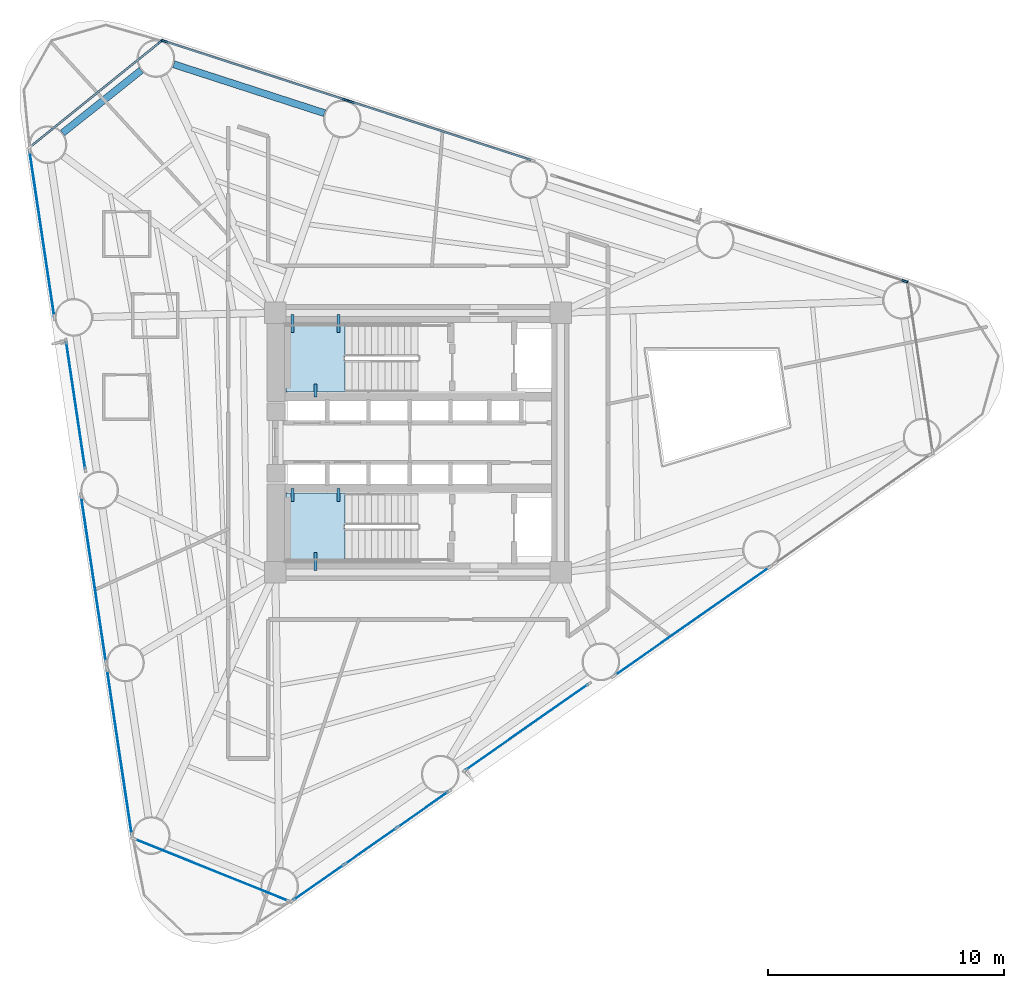
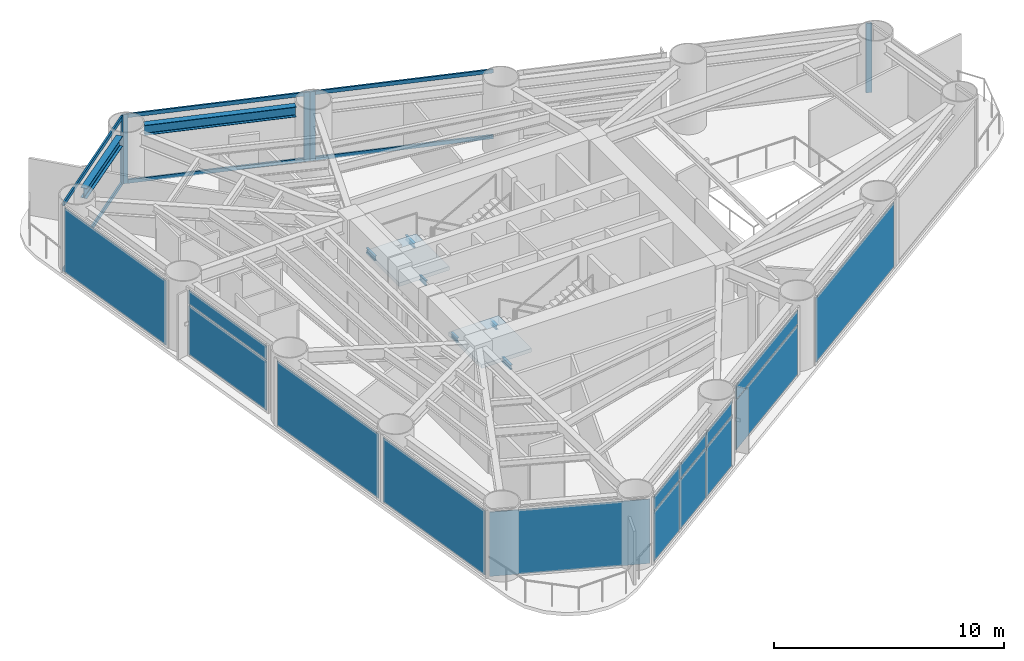
# One storey, part 4 of 9: 15 plates, 11 members, 8 beams, 2 slabs, 14 elements without a shape of their own.
"""IFC4 building model written with IfcOpenShell, lengths in metres."""

from ifc_helpers import new_model, si_unit, direction, frame, origin, origin_2d, place, context, subcontext, project, spatial, polyline, rectangle, i_section, outline, extrude, source, transform, mapped, material, layer, layer_set, material_profile, profile_set, type_object, element, aggregate, save


model = new_model("IFC4")

# Units and contexts
model_context = context("Model", 3, precision=1e-05, world=origin(), true_north=direction((0.0, 1.0)))
body_context = subcontext(model_context, "Body", "Model", "MODEL_VIEW")
ifc_project = project(units=[si_unit("LENGTHUNIT", "METRE"), si_unit("AREAUNIT", "SQUARE_METRE"), si_unit("VOLUMEUNIT", "CUBIC_METRE"), si_unit("PLANEANGLEUNIT", "RADIAN"), si_unit("MASSUNIT", "GRAM", prefix="KILO")], contexts=[model_context])

# Site, building, storey
site_placement = place(None, origin())
site = spatial("IfcSite", under=ifc_project, at=site_placement, CompositionType="ELEMENT")
building_placement = place(site_placement, origin())
building = spatial("IfcBuilding", under=site, at=building_placement, Name="Yunling Apex Tower", CompositionType="ELEMENT")
storey_placement = place(building_placement, frame((0.0, 0.0, 62.300048828125)))
storey = spatial("IfcBuildingStorey", under=building, at=storey_placement, Name="L16", CompositionType="ELEMENT", Elevation=62.300048828125)

# Beams
ifc_material_1 = material(Name="Steel Q355B", Category="steel")
ifc_material_profile_1 = material_profile(ifc_material_1, i_section(OverallWidth=0.125, OverallDepth=0.25, WebThickness=0.006103515625, FlangeThickness=0.009033203125, FilletRadius=0.011962890625, at=origin_2d()))
ifc_profile_set_1 = profile_set([ifc_material_profile_1], Name="Steel Q355B")
beam_type_1 = type_object("IfcBeamType", Name="BL-LNT-1", PredefinedType="LINTEL", material=ifc_profile_set_1)
shared_shape_1 = source(origin(), body_context, "Body", "SweptSolid", [
    extrude(i_section(OverallWidth=0.125, OverallDepth=0.25, WebThickness=0.006103515625, FlangeThickness=0.009033203125, FilletRadius=0.011962890625, at=origin_2d()), origin(), (0.0, 0.0, 1.0), 0.760009765625),
])
for number, where, z_axis, x_axis, name in (
    (1, (-5.320068359375, 5.419921875, 1.554931640625), (0.0, -1.0, 0.0), (1.0, 0.0, 0.0), "L16 ST-1 Landing Bearing Corbel 1-1"),
    (2, (-3.3701171875, 5.419921875, 1.554931640625), (0.0, -1.0, 0.0), (1.0, 0.0, 0.0), "L16 ST-1 Landing Bearing Corbel 1-2"),
    (3, (-4.344970703125, -5.419921875, 1.554931640625), (0.0, 1.0, 0.0), (-1.0, 0.0, 0.0), "L16 ST-2 Landing Bearing Corbel 1-3"),
):
    element("IfcBeam", number, at=place(storey_placement, frame(where, z_axis=z_axis, x_axis=x_axis)), inside=storey, type_object=beam_type_1, Name=name, PredefinedType="LINTEL", context=body_context, shape_type="MappedRepresentation", body=[
        mapped(shared_shape_1, transform((0.0, 0.0, 0.0), scale=1.0)),
    ])
shared_shape_2 = source(origin(), body_context, "Body", "SweptSolid", [
    extrude(i_section(OverallWidth=0.125, OverallDepth=0.25, WebThickness=0.006103515625, FlangeThickness=0.009033203125, FilletRadius=0.011962890625, at=origin_2d()), origin(), (0.0, 0.0, 1.0), 0.550048828125),
])
for number, where, z_axis, x_axis, name in (
    (4, (-4.344970703125, 1.93994140625, 1.554931640625), (0.0, 1.0, 0.0), (-1.0, 0.0, 0.0), "L16 ST-1 Landing Bearing Corbel 1-3"),
    (5, (-5.320068359375, -1.93994140625, 1.554931640625), (0.0, -1.0, 0.0), (1.0, 0.0, 0.0), "L16 ST-2 Landing Bearing Corbel 1-1"),
    (6, (-3.3701171875, -1.93994140625, 1.554931640625), (0.0, -1.0, 0.0), (1.0, 0.0, 0.0), "L16 ST-2 Landing Bearing Corbel 1-2"),
):
    element("IfcBeam", number, at=place(storey_placement, frame(where, z_axis=z_axis, x_axis=x_axis)), inside=storey, type_object=beam_type_1, Name=name, PredefinedType="LINTEL", context=body_context, shape_type="MappedRepresentation", body=[
        mapped(shared_shape_2, transform((0.0, 0.0, 0.0), scale=1.0)),
    ])
ifc_material_profile_2 = material_profile(ifc_material_1, i_section(OverallWidth=0.300048828125, OverallDepth=0.5400390625, WebThickness=0.011962890625, FlangeThickness=0.02001953125, FilletRadius=0.02392578125, at=origin_2d()))
ifc_profile_set_2 = profile_set([ifc_material_profile_2], Name="Steel Q355B")
beam_type_2 = type_object("IfcBeamType", Name="BP-SPN-1", PredefinedType="SPANDREL", material=ifc_profile_set_2)
shared_shape_3 = source(origin(), body_context, "Body", "SweptSolid", [
    extrude(i_section(OverallWidth=0.300048828125, OverallDepth=0.5400390625, WebThickness=0.011962890625, FlangeThickness=0.02001953125, FilletRadius=0.02392578125, at=origin_2d()), origin(), (0.0, 0.0, 1.0), 6.721435546875),
])
beam_1_placement = place(storey_placement, frame((-3.96484375, 13.9638671875, 3.294921875), z_axis=(-0.95126256707, 0.308382114415, 0.0), x_axis=(-0.308382114415, -0.95126256707, 0.0)))
element("IfcBeam", 7, at=beam_1_placement, inside=storey, type_object=beam_type_2, Name="L16 Perimeter Spandrel Beam 9", PredefinedType="SPANDREL", context=body_context, shape_type="MappedRepresentation", body=[
    mapped(shared_shape_3, transform((0.0, 0.0, 0.0), scale=1.0)),
])
shared_shape_4 = source(origin(), body_context, "Body", "SweptSolid", [
    extrude(i_section(OverallWidth=0.300048828125, OverallDepth=0.5400390625, WebThickness=0.011962890625, FlangeThickness=0.02001953125, FilletRadius=0.02392578125, at=origin_2d()), origin(), (0.0, 0.0, 1.0), 4.265869140625),
])
beam_2_placement = place(storey_placement, frame((-11.734619140625, 15.785888671875, 3.294921875), z_axis=(-0.781560697893, -0.623829203796, 0.0), x_axis=(0.623829203796, -0.781560697893, 0.0)))
element("IfcBeam", 8, at=beam_2_placement, inside=storey, type_object=beam_type_2, Name="L16 Perimeter Spandrel Beam 10", PredefinedType="SPANDREL", context=body_context, shape_type="MappedRepresentation", body=[
    mapped(shared_shape_4, transform((0.0, 0.0, 0.0), scale=1.0)),
])

# Curtain wall, member
ifc_material_2 = material(Name="Bronze anodised aluminium", Category="aluminium")
ifc_layer_1 = layer(ifc_material_2, 0.260009765625)
ifc_layer_set_1 = layer_set([ifc_layer_1], Name="Bronze anodised aluminium")
curtain_wall_type = type_object("IfcCurtainWallType", Name="CW-SYS-2", PredefinedType="NOTDEFINED", material=ifc_layer_set_1)
curtain_wall_1_placement = place(storey_placement, origin())
curtain_wall_1 = element("IfcCurtainWall", 9, at=curtain_wall_1_placement, inside=storey, type_object=curtain_wall_type, Name="CW-L16-F2-B1", PredefinedType="NOTDEFINED")
ifc_material_profile_3 = material_profile(ifc_material_2, rectangle(XDim=0.0849609375, YDim=0.260009765625, at=origin_2d()))
ifc_profile_set_3 = profile_set([ifc_material_profile_3], Name="Bronze anodised aluminium")
member_type_1 = type_object("IfcMemberType", Name="CW-MUL-2", PredefinedType="MULLION", material=ifc_profile_set_3)
shared_shape_5 = source(origin(), body_context, "Body", "SweptSolid", [
    extrude(rectangle(XDim=0.0849609375, YDim=0.260009765625, at=origin_2d()), origin(), (0.0, 0.0, 1.0), 3.6650390625),
])
member_1_placement = place(storey_placement, frame((20.63671875, 6.8408203125, -0.050048828125), z_axis=(0.0, 0.0, 1.0), x_axis=(-0.30835735341, -0.951270593784, 0.0)))
member_1 = element("IfcMember", 10, at=member_1_placement, type_object=member_type_1, Name="CW-SYS-2 mullion 1", PredefinedType="MULLION", context=body_context, shape_type="MappedRepresentation", body=[
    mapped(shared_shape_5, transform((0.0, 0.0, 0.0), scale=1.0)),
])
aggregate(curtain_wall_1, [member_1])

curtain_wall_2_placement = place(storey_placement, origin())
curtain_wall_2 = element("IfcCurtainWall", 11, at=curtain_wall_2_placement, inside=storey, type_object=curtain_wall_type, Name="CW-L16-F2-B3", PredefinedType="NOTDEFINED")
member_2_placement = place(storey_placement, frame((-2.84326171875, 14.451904296875, -0.050048828125), z_axis=(0.0, 0.0, 1.0), x_axis=(-0.308368457544, -0.951266994272, 0.0)))
member_2 = element("IfcMember", 12, at=member_2_placement, type_object=member_type_1, Name="CW-SYS-2 mullion 2", PredefinedType="MULLION", context=body_context, shape_type="MappedRepresentation", body=[
    mapped(shared_shape_5, transform((0.0, 0.0, 0.0), scale=1.0)),
])

# Curtain wall, members
curtain_wall_3_placement = place(storey_placement, origin())
curtain_wall_3 = element("IfcCurtainWall", 13, at=curtain_wall_3_placement, inside=storey, type_object=curtain_wall_type, Name="CW-L16-F2-B4", PredefinedType="NOTDEFINED")
member_3_placement = place(storey_placement, frame((-3.076416015625, 14.52734375, -0.050048828125), z_axis=(0.0, 0.0, 1.0), x_axis=(-0.30835735341, -0.951270593784, 0.0)))
member_3 = element("IfcMember", 14, at=member_3_placement, type_object=member_type_1, Name="CW-SYS-2 mullion 1", PredefinedType="MULLION", context=body_context, shape_type="MappedRepresentation", body=[
    mapped(shared_shape_5, transform((0.0, 0.0, 0.0), scale=1.0)),
])
member_4_placement = place(storey_placement, frame((-10.747802734375, 17.01416015625, -0.050048828125), z_axis=(0.0, 0.0, 1.0), x_axis=(-0.30835735341, -0.951270593784, 0.0)))
member_4 = element("IfcMember", 15, at=member_4_placement, type_object=member_type_1, Name="CW-SYS-2 mullion 2", PredefinedType="MULLION", context=body_context, shape_type="MappedRepresentation", body=[
    mapped(shared_shape_5, transform((0.0, 0.0, 0.0), scale=1.0)),
])

# Curtain wall, member
curtain_wall_4_placement = place(storey_placement, origin())
curtain_wall_4 = element("IfcCurtainWall", 16, at=curtain_wall_4_placement, inside=storey, type_object=curtain_wall_type, Name="CW-L16-CRN2", PredefinedType="NOTDEFINED")
member_5_placement = place(storey_placement, frame((-10.903564453125, 17.006103515625, -0.050048828125), z_axis=(0.0, 0.0, 1.0), x_axis=(0.628079941911, -0.778148820322, 0.0)))
member_5 = element("IfcMember", 17, at=member_5_placement, type_object=member_type_1, Name="CW-SYS-2 mullion 1", PredefinedType="MULLION", context=body_context, shape_type="MappedRepresentation", body=[
    mapped(shared_shape_5, transform((0.0, 0.0, 0.0), scale=1.0)),
])

# Member
ifc_material_profile_4 = material_profile(ifc_material_2, rectangle(XDim=0.0849609375, YDim=0.199951171875, at=origin_2d()))
ifc_profile_set_4 = profile_set([ifc_material_profile_4], Name="Bronze anodised aluminium")
member_type_2 = type_object("IfcMemberType", Name="CW-TRN-2", PredefinedType="USERDEFINED", material=ifc_profile_set_4)
shared_shape_6 = source(origin(), body_context, "Body", "SweptSolid", [
    extrude(rectangle(XDim=0.0849609375, YDim=0.199951171875, at=origin_2d()), origin(), (0.0, 0.0, 1.0), 7.98779296875),
])
member_6_placement = place(storey_placement, frame((4.79150390625, 11.976806640625, 0.04248046875), z_axis=(-0.951258205262, 0.308395568907, 0.0), x_axis=(-0.308395568907, -0.951258205262, 0.0)))
member_6 = element("IfcMember", 18, at=member_6_placement, type_object=member_type_2, Name="CW-SYS-2 transom 1.1", ObjectType="TRANSOM", PredefinedType="USERDEFINED", context=body_context, shape_type="MappedRepresentation", body=[
    mapped(shared_shape_6, transform((0.0, 0.0, 0.0), scale=1.0)),
])

member_7_placement = place(storey_placement, frame((4.79150390625, 11.976806640625, 3.5224609375), z_axis=(-0.951258205262, 0.308395568907, 0.0), x_axis=(-0.308395568907, -0.951258205262, 0.0)))
member_7 = element("IfcMember", 19, at=member_7_placement, type_object=member_type_2, Name="CW-SYS-2 transom 1.2", ObjectType="TRANSOM", PredefinedType="USERDEFINED", context=body_context, shape_type="MappedRepresentation", body=[
    mapped(shared_shape_6, transform((0.0, 0.0, 0.0), scale=1.0)),
])

aggregate(curtain_wall_2, [member_2, member_6, member_7])

member_8_placement = place(storey_placement, frame((-3.11279296875, 14.539306640625, 0.04248046875), z_axis=(-0.951279042821, 0.308331287237, 0.0), x_axis=(-0.308331287237, -0.951279042821, 0.0)))
member_8 = element("IfcMember", 20, at=member_8_placement, type_object=member_type_2, Name="CW-SYS-2 transom 1.1", ObjectType="TRANSOM", PredefinedType="USERDEFINED", context=body_context, shape_type="MappedRepresentation", body=[
    mapped(shared_shape_6, transform((0.0, 0.0, 0.0), scale=1.0)),
])

member_9_placement = place(storey_placement, frame((-3.11279296875, 14.539306640625, 3.5224609375), z_axis=(-0.951279042821, 0.308331287237, 0.0), x_axis=(-0.308331287237, -0.951279042821, 0.0)))
member_9 = element("IfcMember", 21, at=member_9_placement, type_object=member_type_2, Name="CW-SYS-2 transom 1.2", ObjectType="TRANSOM", PredefinedType="USERDEFINED", context=body_context, shape_type="MappedRepresentation", body=[
    mapped(shared_shape_6, transform((0.0, 0.0, 0.0), scale=1.0)),
])

aggregate(curtain_wall_3, [member_3, member_4, member_8, member_9])

shared_shape_7 = source(origin(), body_context, "Body", "SweptSolid", [
    extrude(rectangle(XDim=0.0849609375, YDim=0.199951171875, at=origin_2d()), origin(), (0.0, 0.0, 1.0), 7.03515625),
])
member_10_placement = place(storey_placement, frame((-10.933349609375, 16.982177734375, 0.04248046875), z_axis=(-0.778142739989, -0.628087474961, 0.0), x_axis=(0.628087474961, -0.778142739989, 0.0)))
member_10 = element("IfcMember", 22, at=member_10_placement, type_object=member_type_2, Name="CW-SYS-2 transom 1.1", ObjectType="TRANSOM", PredefinedType="USERDEFINED", context=body_context, shape_type="MappedRepresentation", body=[
    mapped(shared_shape_7, transform((0.0, 0.0, 0.0), scale=1.0)),
])

member_11_placement = place(storey_placement, frame((-10.933349609375, 16.982177734375, 3.5224609375), z_axis=(-0.778142739989, -0.628087474961, 0.0), x_axis=(0.628087474961, -0.778142739989, 0.0)))
member_11 = element("IfcMember", 23, at=member_11_placement, type_object=member_type_2, Name="CW-SYS-2 transom 1.2", ObjectType="TRANSOM", PredefinedType="USERDEFINED", context=body_context, shape_type="MappedRepresentation", body=[
    mapped(shared_shape_7, transform((0.0, 0.0, 0.0), scale=1.0)),
])

aggregate(curtain_wall_4, [member_5, member_10, member_11])

# Stair, slab
ifc_material_3 = material(Name="Concrete C40", Category="concrete")
stair_type = type_object("IfcStairType", Name="ST-TWR-1", PredefinedType="HALF_TURN_STAIR", material=ifc_material_3)
stair_1_placement = place(storey_placement, origin())
stair_1 = element("IfcStair", 24, at=stair_1_placement, inside=storey, type_object=stair_type, Name="L16 North Core Smokeproof Exit Stair ST-1", PredefinedType="HALF_TURN_STAIR")
ifc_layer_2 = layer(ifc_material_3, 0.195068359375)
ifc_layer_set_2 = layer_set([ifc_layer_2], Name="Concrete C40")
slab_type = type_object("IfcSlabType", Name="SL-LND-1", PredefinedType="LANDING", material=ifc_layer_set_2)
slab_1_placement = place(storey_placement, frame((0.0, 0.0, 1.679931640625)))
slab_1 = element("IfcSlab", 25, at=slab_1_placement, type_object=slab_type, Name="ST-1 landing 1", PredefinedType="LANDING", context=body_context, shape_type="SweptSolid", body=[
    extrude(outline(polyline([(-3.090087890625, 5.010009765625), (-5.60009765625, 5.010009765625), (-5.60009765625, 2.139892578125), (-3.090087890625, 2.139892578125), (-3.090087890625, 5.010009765625)])), origin(), (0.0, 0.0, 1.0), 0.195068359375),
])
aggregate(stair_1, [slab_1])

stair_2_placement = place(storey_placement, origin())
stair_2 = element("IfcStair", 26, at=stair_2_placement, inside=storey, type_object=stair_type, Name="L16 South Core Smokeproof Exit Stair ST-2", PredefinedType="HALF_TURN_STAIR")
slab_2_placement = place(storey_placement, frame((0.0, 0.0, 1.679931640625)))
slab_2 = element("IfcSlab", 27, at=slab_2_placement, type_object=slab_type, Name="ST-2 landing 1", PredefinedType="LANDING", context=body_context, shape_type="SweptSolid", body=[
    extrude(outline(polyline([(-3.090087890625, -2.139892578125), (-5.60009765625, -2.139892578125), (-5.60009765625, -5.010009765625), (-3.090087890625, -5.010009765625), (-3.090087890625, -2.139892578125)])), origin(), (0.0, 0.0, 1.0), 0.195068359375),
])
aggregate(stair_2, [slab_2])

# Curtain wall, plates
curtain_wall_5_placement = place(storey_placement, origin())
curtain_wall_5 = element("IfcCurtainWall", 28, at=curtain_wall_5_placement, inside=storey, type_object=curtain_wall_type, Name="CW-L16-F1-B1", PredefinedType="NOTDEFINED")
ifc_material_4 = material(Name="Bronze tinted low-E glass", Category="glass")
ifc_layer_3 = layer(ifc_material_4, 0.033935546875)
ifc_layer_set_3 = layer_set([ifc_layer_3], Name="Bronze tinted low-E glass")
plate_type = type_object("IfcPlateType", Name="CW-PNL-2", PredefinedType="CURTAIN_PANEL", material=ifc_layer_set_3)
shared_shape_8 = source(origin(), body_context, "Body", "SweptSolid", [
    extrude(rectangle(XDim=2.60546875, YDim=0.033935546875, at=origin_2d()), origin(), (0.0, 0.0, 1.0), 2.60400390625),
])
plate_1_placement = place(storey_placement, frame((-4.2080078125, -18.64697265625, 0.07666015625), z_axis=(0.0, 0.0, 1.0), x_axis=(0.819552319691, 0.573004358875, 0.0)))
plate_1 = element("IfcPlate", 29, at=plate_1_placement, type_object=plate_type, Name="CW-SYS-2 panel 1.1", PredefinedType="CURTAIN_PANEL", context=body_context, shape_type="MappedRepresentation", body=[
    mapped(shared_shape_8, transform((0.0, 0.0, 0.0), scale=1.0)),
])
plate_2_placement = place(storey_placement, frame((0.209716796875, -15.55810546875, 0.07666015625), z_axis=(0.0, 0.0, 1.0), x_axis=(0.819552319691, 0.573004358875, 0.0)))
plate_2 = element("IfcPlate", 30, at=plate_2_placement, type_object=plate_type, Name="CW-SYS-2 panel 3.1", PredefinedType="CURTAIN_PANEL", context=body_context, shape_type="MappedRepresentation", body=[
    mapped(shared_shape_8, transform((0.0, 0.0, 0.0), scale=1.0)),
])
shared_shape_9 = source(origin(), body_context, "Body", "SweptSolid", [
    extrude(rectangle(XDim=2.60546875, YDim=0.033935546875, at=origin_2d()), origin(), (0.0, 0.0, 1.0), 0.739013671875),
])
plate_3_placement = place(storey_placement, frame((-4.2080078125, -18.64697265625, 2.7490234375), z_axis=(0.0, 0.0, 1.0), x_axis=(0.819552319691, 0.573004358875, 0.0)))
plate_3 = element("IfcPlate", 31, at=plate_3_placement, type_object=plate_type, Name="CW-SYS-2 panel 1.2", PredefinedType="CURTAIN_PANEL", context=body_context, shape_type="MappedRepresentation", body=[
    mapped(shared_shape_9, transform((0.0, 0.0, 0.0), scale=1.0)),
])
plate_4_placement = place(storey_placement, frame((0.209716796875, -15.55810546875, 2.7490234375), z_axis=(0.0, 0.0, 1.0), x_axis=(0.819552319691, 0.573004358875, 0.0)))
plate_4 = element("IfcPlate", 32, at=plate_4_placement, type_object=plate_type, Name="CW-SYS-2 panel 3.2", PredefinedType="CURTAIN_PANEL", context=body_context, shape_type="MappedRepresentation", body=[
    mapped(shared_shape_9, transform((0.0, 0.0, 0.0), scale=1.0)),
])
shared_shape_10 = source(origin(), body_context, "Body", "SweptSolid", [
    extrude(rectangle(XDim=2.64794921875, YDim=0.033935546875, at=origin_2d()), origin(), (0.0, 0.0, 1.0), 2.60400390625),
])
plate_5_placement = place(storey_placement, frame((-1.9990234375, -17.1025390625, 0.07666015625), z_axis=(0.0, 0.0, 1.0), x_axis=(0.819552319691, 0.573004358875, 0.0)))
plate_5 = element("IfcPlate", 33, at=plate_5_placement, type_object=plate_type, Name="CW-SYS-2 panel 2.1", PredefinedType="CURTAIN_PANEL", context=body_context, shape_type="MappedRepresentation", body=[
    mapped(shared_shape_10, transform((0.0, 0.0, 0.0), scale=1.0)),
])
shared_shape_11 = source(origin(), body_context, "Body", "SweptSolid", [
    extrude(rectangle(XDim=2.64794921875, YDim=0.033935546875, at=origin_2d()), origin(), (0.0, 0.0, 1.0), 0.739013671875),
])
plate_6_placement = place(storey_placement, frame((-1.9990234375, -17.1025390625, 2.7490234375), z_axis=(0.0, 0.0, 1.0), x_axis=(0.819552319691, 0.573004358875, 0.0)))
plate_6 = element("IfcPlate", 34, at=plate_6_placement, type_object=plate_type, Name="CW-SYS-2 panel 2.2", PredefinedType="CURTAIN_PANEL", context=body_context, shape_type="MappedRepresentation", body=[
    mapped(shared_shape_11, transform((0.0, 0.0, 0.0), scale=1.0)),
])
aggregate(curtain_wall_5, [plate_1, plate_3, plate_5, plate_6, plate_2, plate_4])

curtain_wall_6_placement = place(storey_placement, origin())
curtain_wall_6 = element("IfcCurtainWall", 35, at=curtain_wall_6_placement, inside=storey, type_object=curtain_wall_type, Name="CW-L16-F1-B2", PredefinedType="NOTDEFINED")
shared_shape_12 = source(origin(), body_context, "Body", "SweptSolid", [
    extrude(rectangle(XDim=6.315673828125, YDim=0.033935546875, at=origin_2d()), origin(), (0.0, 0.0, 1.0), 2.60400390625),
])
plate_7_placement = place(storey_placement, frame((4.615966796875, -12.0625, 0.07666015625), z_axis=(0.0, 0.0, 1.0), x_axis=(0.819553499175, 0.573002671888, 0.0)))
plate_7 = element("IfcPlate", 36, at=plate_7_placement, type_object=plate_type, Name="CW-SYS-2 panel 1.1", PredefinedType="CURTAIN_PANEL", context=body_context, shape_type="MappedRepresentation", body=[
    mapped(shared_shape_12, transform((0.0, 0.0, 0.0), scale=1.0)),
])
shared_shape_13 = source(origin(), body_context, "Body", "SweptSolid", [
    extrude(rectangle(XDim=6.315673828125, YDim=0.033935546875, at=origin_2d()), origin(), (0.0, 0.0, 1.0), 0.739013671875),
])
plate_8_placement = place(storey_placement, frame((4.615966796875, -12.0625, 2.7490234375), z_axis=(0.0, 0.0, 1.0), x_axis=(0.819553499175, 0.573002671888, 0.0)))
plate_8 = element("IfcPlate", 37, at=plate_8_placement, type_object=plate_type, Name="CW-SYS-2 panel 1.2", PredefinedType="CURTAIN_PANEL", context=body_context, shape_type="MappedRepresentation", body=[
    mapped(shared_shape_13, transform((0.0, 0.0, 0.0), scale=1.0)),
])
aggregate(curtain_wall_6, [plate_7, plate_8])

# Curtain wall, plate
curtain_wall_7_placement = place(storey_placement, origin())
curtain_wall_7 = element("IfcCurtainWall", 38, at=curtain_wall_7_placement, inside=storey, type_object=curtain_wall_type, Name="CW-L16-F1-B3", PredefinedType="NOTDEFINED")
shared_shape_14 = source(origin(), body_context, "Body", "SweptSolid", [
    extrude(rectangle(XDim=7.995849609375, YDim=0.033935546875, at=origin_2d()), origin(), (0.0, 0.0, 1.0), 3.41162109375),
])
plate_9_placement = place(storey_placement, frame((11.62060546875, -7.579833984375, 0.07666015625), z_axis=(0.0, 0.0, 1.0), x_axis=(0.819558082217, 0.572996116804, 0.0)))
plate_9 = element("IfcPlate", 39, at=plate_9_placement, type_object=plate_type, Name="CW-SYS-2 panel 1.1", PredefinedType="CURTAIN_PANEL", context=body_context, shape_type="MappedRepresentation", body=[
    mapped(shared_shape_14, transform((0.0, 0.0, 0.0), scale=1.0)),
])
aggregate(curtain_wall_7, [plate_9])

curtain_wall_8_placement = place(storey_placement, origin())
curtain_wall_8 = element("IfcCurtainWall", 40, at=curtain_wall_8_placement, inside=storey, type_object=curtain_wall_type, Name="CW-L16-CRN3", PredefinedType="NOTDEFINED")
shared_shape_15 = source(origin(), body_context, "Body", "SweptSolid", [
    extrude(rectangle(XDim=7.043212890625, YDim=0.033935546875, at=origin_2d()), origin(), (0.0, 0.0, 1.0), 3.41162109375),
])
plate_10_placement = place(storey_placement, frame((-8.75390625, -18.1240234375, 0.07666015625), z_axis=(0.0, 0.0, 1.0), x_axis=(0.927773562961, -0.373143693329, 0.0)))
plate_10 = element("IfcPlate", 41, at=plate_10_placement, type_object=plate_type, Name="CW-SYS-2 panel 1.1", PredefinedType="CURTAIN_PANEL", context=body_context, shape_type="MappedRepresentation", body=[
    mapped(shared_shape_15, transform((0.0, 0.0, 0.0), scale=1.0)),
])
aggregate(curtain_wall_8, [plate_10])

curtain_wall_9_placement = place(storey_placement, origin())
curtain_wall_9 = element("IfcCurtainWall", 42, at=curtain_wall_9_placement, inside=storey, type_object=curtain_wall_type, Name="CW-L16-F3-B1", PredefinedType="NOTDEFINED")
shared_shape_16 = source(origin(), body_context, "Body", "SweptSolid", [
    extrude(rectangle(XDim=7.091552734375, YDim=0.033935546875, at=origin_2d()), origin(), (0.0, 0.0, 1.0), 3.41162109375),
])
plate_11_placement = place(storey_placement, frame((-15.943115234375, 8.847900390625, 0.07666015625), z_axis=(0.0, 0.0, 1.0), x_axis=(0.147799122579, -0.989017400941, 0.0)))
plate_11 = element("IfcPlate", 43, at=plate_11_placement, type_object=plate_type, Name="CW-SYS-2 panel 1.1", PredefinedType="CURTAIN_PANEL", context=body_context, shape_type="MappedRepresentation", body=[
    mapped(shared_shape_16, transform((0.0, 0.0, 0.0), scale=1.0)),
])
aggregate(curtain_wall_9, [plate_11])

# Curtain wall, plates
curtain_wall_10_placement = place(storey_placement, origin())
curtain_wall_10 = element("IfcCurtainWall", 44, at=curtain_wall_10_placement, inside=storey, type_object=curtain_wall_type, Name="CW-L16-F3-B2", PredefinedType="NOTDEFINED")
shared_shape_17 = source(origin(), body_context, "Body", "SweptSolid", [
    extrude(rectangle(XDim=5.411376953125, YDim=0.033935546875, at=origin_2d()), origin(), (0.0, 0.0, 1.0), 2.60400390625),
])
plate_12_placement = place(storey_placement, frame((-14.51220703125, 1.57470703125, 0.07666015625), z_axis=(0.0, 0.0, 1.0), x_axis=(0.147800900076, -0.98901713531, 0.0)))
plate_12 = element("IfcPlate", 45, at=plate_12_placement, type_object=plate_type, Name="CW-SYS-2 panel 1.1", PredefinedType="CURTAIN_PANEL", context=body_context, shape_type="MappedRepresentation", body=[
    mapped(shared_shape_17, transform((0.0, 0.0, 0.0), scale=1.0)),
])
shared_shape_18 = source(origin(), body_context, "Body", "SweptSolid", [
    extrude(rectangle(XDim=5.411376953125, YDim=0.033935546875, at=origin_2d()), origin(), (0.0, 0.0, 1.0), 0.739013671875),
])
plate_13_placement = place(storey_placement, frame((-14.51220703125, 1.57470703125, 2.7490234375), z_axis=(0.0, 0.0, 1.0), x_axis=(0.147800900076, -0.98901713531, 0.0)))
plate_13 = element("IfcPlate", 46, at=plate_13_placement, type_object=plate_type, Name="CW-SYS-2 panel 1.2", PredefinedType="CURTAIN_PANEL", context=body_context, shape_type="MappedRepresentation", body=[
    mapped(shared_shape_18, transform((0.0, 0.0, 0.0), scale=1.0)),
])
aggregate(curtain_wall_10, [plate_12, plate_13])

# Curtain wall, plate
curtain_wall_11_placement = place(storey_placement, origin())
curtain_wall_11 = element("IfcCurtainWall", 47, at=curtain_wall_11_placement, inside=storey, type_object=curtain_wall_type, Name="CW-L16-F3-B3", PredefinedType="NOTDEFINED")
shared_shape_19 = source(origin(), body_context, "Body", "SweptSolid", [
    extrude(rectangle(XDim=7.09130859375, YDim=0.033935546875, at=origin_2d()), origin(), (0.0, 0.0, 1.0), 3.41162109375),
])
plate_14_placement = place(storey_placement, frame((-13.75390625, -5.799072265625, 0.07666015625), z_axis=(0.0, 0.0, 1.0), x_axis=(0.147814641525, -0.98901508166, 0.0)))
plate_14 = element("IfcPlate", 48, at=plate_14_placement, type_object=plate_type, Name="CW-SYS-2 panel 1.1", PredefinedType="CURTAIN_PANEL", context=body_context, shape_type="MappedRepresentation", body=[
    mapped(shared_shape_19, transform((0.0, 0.0, 0.0), scale=1.0)),
])
aggregate(curtain_wall_11, [plate_14])

curtain_wall_12_placement = place(storey_placement, origin())
curtain_wall_12 = element("IfcCurtainWall", 49, at=curtain_wall_12_placement, inside=storey, type_object=curtain_wall_type, Name="CW-L16-F3-B4", PredefinedType="NOTDEFINED")
plate_15_placement = place(storey_placement, frame((-12.659423828125, -13.12255859375, 0.07666015625), z_axis=(0.0, 0.0, 1.0), x_axis=(0.14780114022, -0.989017099422, 0.0)))
plate_15 = element("IfcPlate", 50, at=plate_15_placement, type_object=plate_type, Name="CW-SYS-2 panel 1.1", PredefinedType="CURTAIN_PANEL", context=body_context, shape_type="MappedRepresentation", body=[
    mapped(shared_shape_19, transform((0.0, 0.0, 0.0), scale=1.0)),
])
aggregate(curtain_wall_12, [plate_15])

save(model, "model.ifc")
